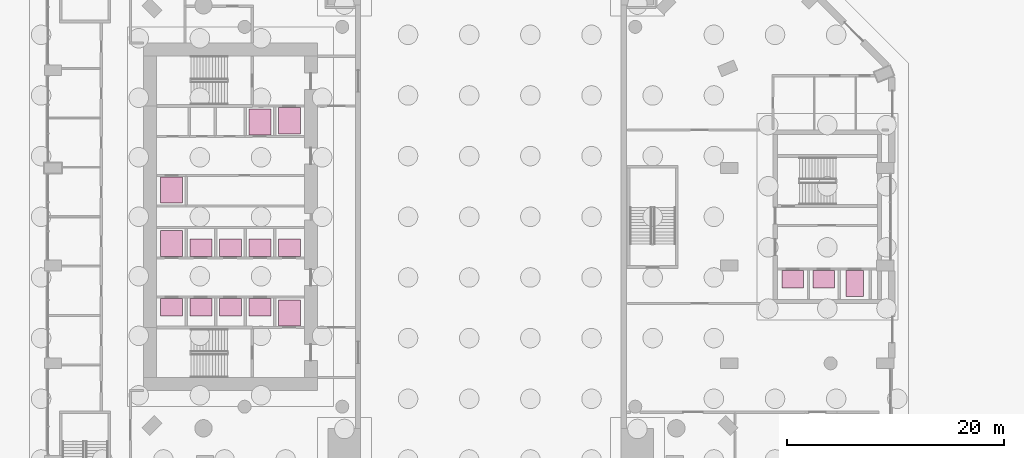
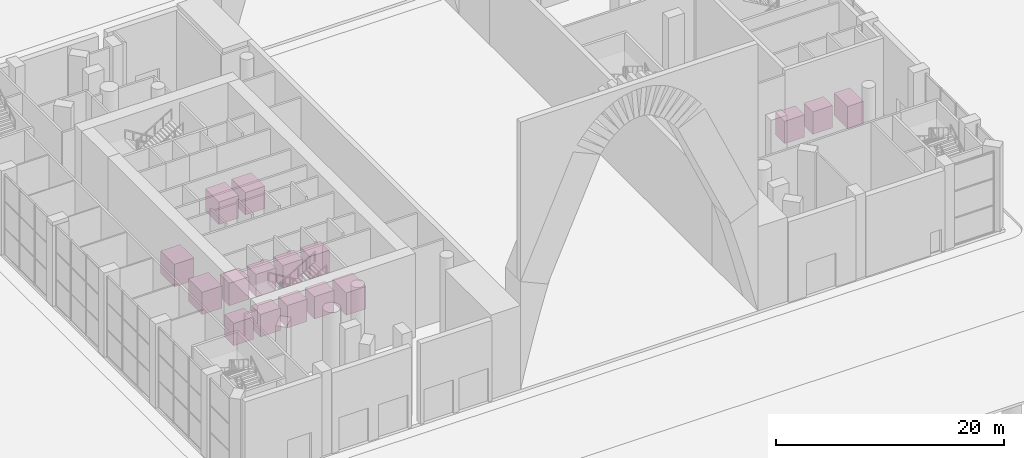
# One storey, part 25 of 25: 16 transport elements.
"""IFC4 building model written with IfcOpenShell, lengths in metres."""

from ifc_helpers import new_model, si_unit, direction, frame, origin, origin_2d, place, context, subcontext, project, spatial, rectangle, extrude, material, type_object, element, save


model = new_model("IFC4")

# Units and contexts
model_context = context("Model", 3, precision=1e-05, world=origin(), true_north=direction((0.0, 1.0)))
body_context = subcontext(model_context, "Body", "Model", "MODEL_VIEW")
ifc_project = project(units=[si_unit("LENGTHUNIT", "METRE"), si_unit("AREAUNIT", "SQUARE_METRE"), si_unit("VOLUMEUNIT", "CUBIC_METRE"), si_unit("PLANEANGLEUNIT", "RADIAN"), si_unit("MASSUNIT", "GRAM", prefix="KILO")], contexts=[model_context])

# Site, building, storey
site_placement = place(None, origin())
site = spatial("IfcSite", under=ifc_project, at=site_placement, CompositionType="ELEMENT")
building_placement = place(site_placement, origin())
building = spatial("IfcBuilding", under=site, at=building_placement, Name="Cypress Arch Tower", CompositionType="ELEMENT")
storey_placement = place(building_placement, origin())
storey = spatial("IfcBuildingStorey", under=building, at=storey_placement, Name="L00", CompositionType="ELEMENT", Elevation=0.0)

# Transport elements
ifc_material_1 = material(Name="Steel lift car, stainless steel lining", Category="steel")
transport_element_type_1 = type_object("IfcTransportElementType", Name="Express shuttle lift SH", PredefinedType="ELEVATOR", material=ifc_material_1)
for number, where, z_axis, x_axis, name in (
    (1, (-27.43994140625, -2.449951171875, 0.0), (0.0, 0.0, 1.0), (1.0, 0.0, 0.0), "Shuttle lift SH1"),
    (2, (-27.43994140625, 2.449951171875, 0.0), (0.0, 0.0, 1.0), (1.0, 0.0, 0.0), "Shuttle lift SH2"),
    (3, (-19.280029296875, 8.75, 0.0), (0.0, 0.0, 1.0), (1.0, 0.0, 0.0), "Shuttle lift SH3"),
):
    element("IfcTransportElement", number, at=place(storey_placement, frame(where, z_axis=z_axis, x_axis=x_axis)), inside=storey, type_object=transport_element_type_1, Name=name, PredefinedType="ELEVATOR", context=body_context, shape_type="SweptSolid", body=[
        extrude(rectangle(XDim=2.0, YDim=2.39990234375, at=origin_2d()), origin(), (0.0, 0.0, 1.0), 2.39990234375),
    ])
ifc_material_2 = material(Name="Steel lift car, stainless steel lining", Category="steel")
transport_element_type_2 = type_object("IfcTransportElementType", Name="Firefighting lift FL", PredefinedType="ELEVATOR", material=ifc_material_2)
for number, where, z_axis, x_axis, name in (
    (4, (-16.56005859375, -8.85009765625, 0.0), (0.0, 0.0, 1.0), (1.0, 0.0, 0.0), "Firefighting lift FL1"),
    (5, (-16.56005859375, 8.85009765625, 0.0), (0.0, 0.0, 1.0), (1.0, 0.0, 0.0), "Firefighting lift FL2"),
):
    element("IfcTransportElement", number, at=place(storey_placement, frame(where, z_axis=z_axis, x_axis=x_axis)), inside=storey, type_object=transport_element_type_2, Name=name, PredefinedType="ELEVATOR", context=body_context, shape_type="SweptSolid", body=[
        extrude(rectangle(XDim=2.0, YDim=2.39990234375, at=origin_2d()), origin(), (0.0, 0.0, 1.0), 2.39990234375),
    ])
ifc_material_3 = material(Name="Steel lift car, stainless steel lining", Category="steel")
transport_element_type_3 = type_object("IfcTransportElementType", Name="Passenger lift EW", PredefinedType="ELEVATOR", material=ifc_material_3)
for number, where, z_axis, x_axis, name in (
    (6, (29.824951171875, -5.75, 0.0), (0.0, 0.0, 1.0), (1.0, 0.0, 0.0), "Lift EW1"),
    (7, (32.675048828125, -5.75, 0.0), (0.0, 0.0, 1.0), (1.0, 0.0, 0.0), "Lift EW2"),
):
    element("IfcTransportElement", number, at=place(storey_placement, frame(where, z_axis=z_axis, x_axis=x_axis)), inside=storey, type_object=transport_element_type_3, Name=name, PredefinedType="ELEVATOR", context=body_context, shape_type="SweptSolid", body=[
        extrude(rectangle(XDim=2.0, YDim=1.60009765625, at=origin_2d()), origin(), (0.0, 0.0, 1.0), 2.39990234375),
    ])
ifc_material_4 = material(Name="Steel lift car, stainless steel lining", Category="steel")
transport_element_type_4 = type_object("IfcTransportElementType", Name="Passenger lift LR", PredefinedType="ELEVATOR", material=ifc_material_4)
for number, where, z_axis, x_axis, name in (
    (8, (-27.43994140625, -8.35009765625, 0.0), (0.0, 0.0, 1.0), (1.0, 0.0, 0.0), "Lift LR1"),
    (9, (-24.719970703125, -8.35009765625, 0.0), (0.0, 0.0, 1.0), (1.0, 0.0, 0.0), "Lift LR2"),
    (10, (-22.0, -8.35009765625, 0.0), (0.0, 0.0, 1.0), (1.0, 0.0, 0.0), "Lift LR3"),
    (11, (-19.280029296875, -8.35009765625, 0.0), (0.0, 0.0, 1.0), (1.0, 0.0, 0.0), "Lift LR4"),
    (12, (-24.719970703125, -2.85009765625, 0.0), (0.0, 0.0, 1.0), (1.0, 0.0, 0.0), "Lift LR5"),
    (13, (-22.0, -2.85009765625, 0.0), (0.0, 0.0, 1.0), (1.0, 0.0, 0.0), "Lift LR6"),
    (14, (-19.280029296875, -2.85009765625, 0.0), (0.0, 0.0, 1.0), (1.0, 0.0, 0.0), "Lift LR7"),
    (15, (-16.56005859375, -2.85009765625, 0.0), (0.0, 0.0, 1.0), (1.0, 0.0, 0.0), "Lift LR8"),
):
    element("IfcTransportElement", number, at=place(storey_placement, frame(where, z_axis=z_axis, x_axis=x_axis)), inside=storey, type_object=transport_element_type_4, Name=name, PredefinedType="ELEVATOR", context=body_context, shape_type="SweptSolid", body=[
        extrude(rectangle(XDim=2.0, YDim=1.60009765625, at=origin_2d()), origin(), (0.0, 0.0, 1.0), 2.39990234375),
    ])
ifc_material_5 = material(Name="Steel lift car, stainless steel lining", Category="steel")
transport_element_type_5 = type_object("IfcTransportElementType", Name="Stretcher lift EWS", PredefinedType="ELEVATOR", material=ifc_material_5)
transport_element_placement = place(storey_placement, frame((35.52490234375, -6.14990234375, 0.0), z_axis=(0.0, 0.0, 1.0), x_axis=(1.0, 0.0, 0.0)))
element("IfcTransportElement", 16, at=transport_element_placement, inside=storey, type_object=transport_element_type_5, Name="Stretcher lift EWS", PredefinedType="ELEVATOR", context=body_context, shape_type="SweptSolid", body=[
    extrude(rectangle(XDim=1.60009765625, YDim=2.39990234375, at=origin_2d()), origin(), (0.0, 0.0, 1.0), 2.39990234375),
])

save(model, "model.ifc")
